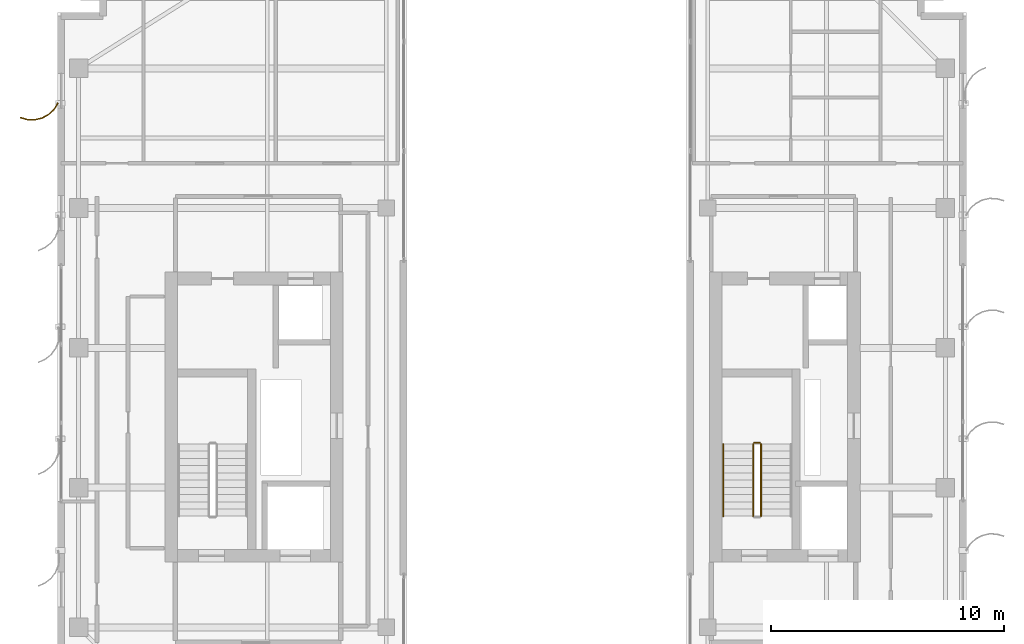
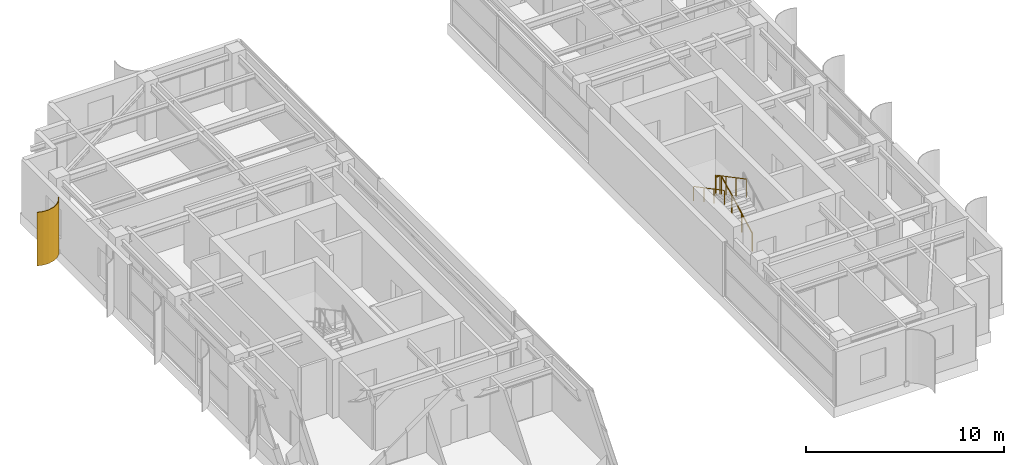
# One storey, part 23 of 24: 4 railings, 1 shading device.
"""IFC4 building model written with IfcOpenShell, lengths in metres."""

from ifc_helpers import new_model, si_unit, direction, frame, origin, origin_2d, place, context, subcontext, project, spatial, polyline, circle, outline, extrude, source, transform, mapped, material, layer, layer_set, type_object, element, save


model = new_model("IFC4")

# Units and contexts
model_context = context("Model", 3, precision=1e-05, world=origin(), true_north=direction((0.0, 1.0)))
body_context = subcontext(model_context, "Body", "Model", "MODEL_VIEW")
ifc_project = project(units=[si_unit("LENGTHUNIT", "METRE"), si_unit("AREAUNIT", "SQUARE_METRE"), si_unit("VOLUMEUNIT", "CUBIC_METRE"), si_unit("PLANEANGLEUNIT", "RADIAN"), si_unit("MASSUNIT", "GRAM", prefix="KILO")], contexts=[model_context])

# Site, building, storey
site_placement = place(None, origin())
site = spatial("IfcSite", under=ifc_project, at=site_placement, CompositionType="ELEMENT")
building_placement = place(site_placement, origin())
building = spatial("IfcBuilding", under=site, at=building_placement, Name="Khoralis Quay Care Tower", CompositionType="ELEMENT")
storey_placement = place(building_placement, frame((0.0, 0.0, 227.699951171875)))
storey = spatial("IfcBuildingStorey", under=building, at=storey_placement, Name="L59", CompositionType="ELEMENT", Elevation=227.699951171875)

# Railings
ifc_material_1 = material(Name="Brushed stainless steel", Category="steel")
railing_type_1 = type_object("IfcRailingType", Name="RL-GUARD-1150", PredefinedType="GUARDRAIL", material=ifc_material_1)
railing_1_placement = place(storey_placement, frame((33.18994140625, 16.77001953125, 0.16357421875)))
element("IfcRailing", 1, at=railing_1_placement, inside=storey, type_object=railing_type_1, Name="L59 ST-T2 stair guard 1", PredefinedType="GUARDRAIL", context=body_context, shape_type="SweptSolid", body=[
    extrude(circle(Radius=0.02392578125, at=origin_2d()), frame((0.0, 0.0, 1.1259765625), z_axis=(0.0, 0.884348015382, 0.466828220752), x_axis=(-1.0, 0.0, 0.0)), (0.0, 0.0, 1.0), 3.505615234375),
    extrude(circle(Radius=0.02099609375, at=origin_2d()), origin(), (0.0, 0.0, 1.0), 1.101806640625),
    extrude(circle(Radius=0.02099609375, at=origin_2d()), frame((0.0, 1.033447265625, 0.54541015625)), (0.0, 0.0, 1.0), 1.101806640625),
    extrude(circle(Radius=0.02099609375, at=origin_2d()), frame((0.0, 2.066650390625, 1.091064453125)), (0.0, 0.0, 1.0), 1.101806640625),
    extrude(circle(Radius=0.02099609375, at=origin_2d()), frame((0.0, 3.10009765625, 1.636474609375)), (0.0, 0.0, 1.0), 1.101806640625),
])
railing_2_placement = place(storey_placement, frame((33.139892578125, 19.919921875, 1.800048828125)))
element("IfcRailing", 2, at=railing_2_placement, inside=storey, type_object=railing_type_1, Name="L59 ST-T2 stair guard 2", PredefinedType="GUARDRAIL", context=body_context, shape_type="SweptSolid", body=[
    extrude(circle(Radius=0.02392578125, at=origin_2d()), frame((0.0, 0.0, 1.1259765625), z_axis=(-1.0, 0.0, 0.0), x_axis=(0.0, -1.0, 0.0)), (0.0, 0.0, 1.0), 0.239990234375),
    extrude(circle(Radius=0.02099609375, at=origin_2d()), origin(), (0.0, 0.0, 1.0), 1.101806640625),
    extrude(circle(Radius=0.02099609375, at=origin_2d()), frame((-0.239990234375, 0.0, 0.0)), (0.0, 0.0, 1.0), 1.101806640625),
])
railing_3_placement = place(storey_placement, frame((32.85009765625, 19.8701171875, 1.963623046875)))
element("IfcRailing", 3, at=railing_3_placement, inside=storey, type_object=railing_type_1, Name="L59 ST-T2 stair guard 3", PredefinedType="GUARDRAIL", context=body_context, shape_type="SweptSolid", body=[
    extrude(circle(Radius=0.02392578125, at=origin_2d()), frame((0.0, 0.0, 1.1259765625), z_axis=(0.0, -0.884348015382, 0.466828220752), x_axis=(1.0, 0.0, 0.0)), (0.0, 0.0, 1.0), 3.505615234375),
    extrude(circle(Radius=0.02099609375, at=origin_2d()), origin(), (0.0, 0.0, 1.0), 1.101806640625),
    extrude(circle(Radius=0.02099609375, at=origin_2d()), frame((0.0, -1.033447265625, 0.54541015625)), (0.0, 0.0, 1.0), 1.101806640625),
    extrude(circle(Radius=0.02099609375, at=origin_2d()), frame((0.0, -2.066650390625, 1.091064453125)), (0.0, 0.0, 1.0), 1.101806640625),
    extrude(circle(Radius=0.02099609375, at=origin_2d()), frame((0.0, -3.10009765625, 1.636474609375)), (0.0, 0.0, 1.0), 1.101806640625),
])
railing_type_2 = type_object("IfcRailingType", Name="RL-HAND-900", PredefinedType="HANDRAIL", material=ifc_material_1)
railing_4_placement = place(storey_placement, frame((31.570068359375, 19.8701171875, 1.963623046875)))
element("IfcRailing", 4, at=railing_4_placement, inside=storey, type_object=railing_type_2, Name="L59 ST-T2 stair handrail 2", PredefinedType="HANDRAIL", context=body_context, shape_type="SweptSolid", body=[
    extrude(circle(Radius=0.02392578125, at=origin_2d()), frame((0.0, 0.0, 0.8759765625), z_axis=(0.0, -0.884348015382, 0.466828220752), x_axis=(1.0, 0.0, 0.0)), (0.0, 0.0, 1.0), 3.505615234375),
    extrude(circle(Radius=0.02099609375, at=origin_2d()), origin(), (0.0, 0.0, 1.0), 0.851806640625),
    extrude(circle(Radius=0.02099609375, at=origin_2d()), frame((0.0, -1.033447265625, 0.54541015625)), (0.0, 0.0, 1.0), 0.851806640625),
    extrude(circle(Radius=0.02099609375, at=origin_2d()), frame((0.0, -2.066650390625, 1.091064453125)), (0.0, 0.0, 1.0), 0.851806640625),
    extrude(circle(Radius=0.02099609375, at=origin_2d()), frame((0.0, -3.10009765625, 1.636474609375)), (0.0, 0.0, 1.0), 0.851806640625),
])

# Shading device
ifc_material_2 = material(Name="Brushed pale anodised aluminium", Category="aluminium")
ifc_layer = layer(ifc_material_2, 0.044921875)
ifc_layer_set = layer_set([ifc_layer], Name="Brushed pale anodised aluminium")
shading_device_type = type_object("IfcShadingDeviceType", Name="SHD-FIN-1250", PredefinedType="USERDEFINED", material=ifc_layer_set)
shared_shape = source(origin(), body_context, "Body", "SweptSolid", [
    extrude(outline(polyline([(0.0, 0.0), (0.17041015625, 0.2783203125), (0.4072265625, 0.5029296875), (0.694091796875, 0.658447265625), (1.01123046875, 0.734619140625), (1.33740234375, 0.72607421875), (1.650390625, 0.633544921875), (1.632080078125, 0.59228515625), (1.330322265625, 0.681640625), (1.015869140625, 0.68994140625), (0.710205078125, 0.616455078125), (0.43359375, 0.466552734375), (0.20556640625, 0.25), (0.041015625, -0.018310546875), (0.0, 0.0)])), origin(), (0.0, 0.0, 1.0), 3.300048828125),
])
shading_device_placement = place(storey_placement, frame((3.030029296875, 34.5, 0.02001953125), z_axis=(0.0, 0.0, 1.0), x_axis=(-1.0, 0.0, 0.0)))
element("IfcShadingDevice", 5, at=shading_device_placement, inside=storey, type_object=shading_device_type, Name="L59 Curved Solar Fin P1E7-01", ObjectType="FIN", PredefinedType="USERDEFINED", context=body_context, shape_type="MappedRepresentation", body=[
    mapped(shared_shape, transform((0.0, 0.0, 0.0), scale=1.0)),
])

save(model, "model.ifc")
